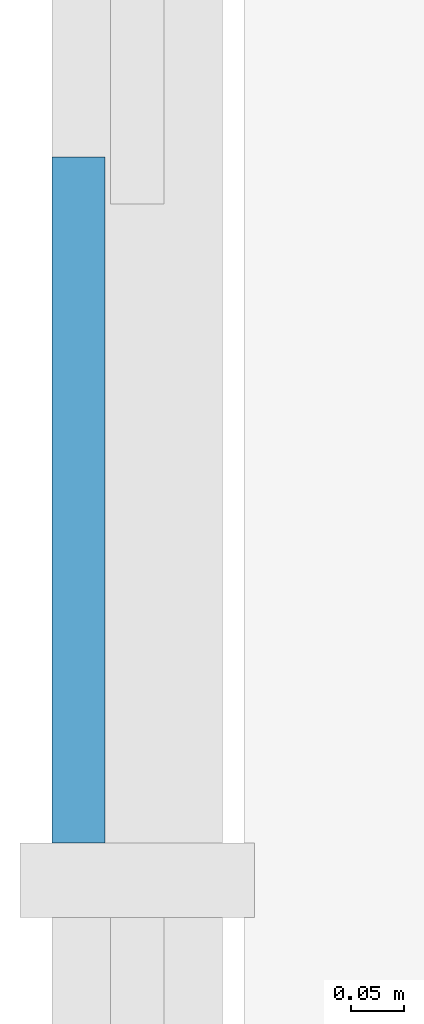
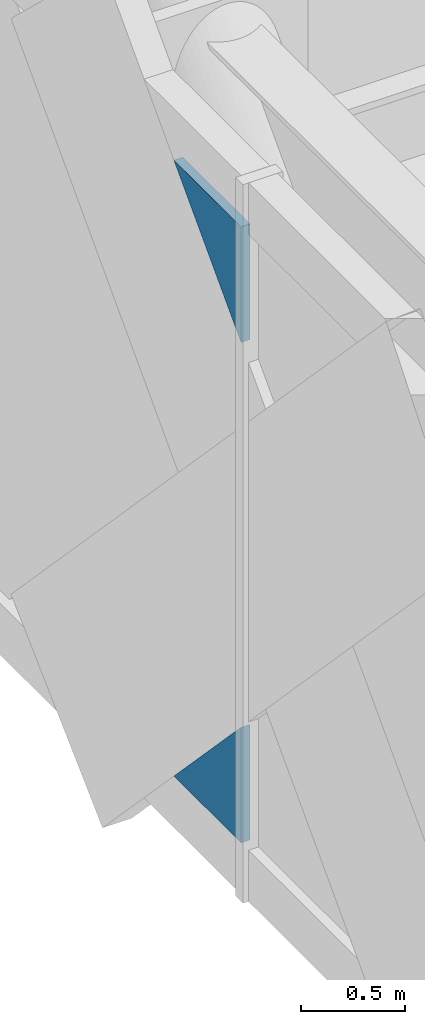
# One storey, part 13 of 19: 2 plates, 1 element without a shape of its own.
"""IFC4 building model written with IfcOpenShell, lengths in metres."""

from ifc_helpers import new_model, si_unit, direction, frame, origin, place, context, subcontext, project, spatial, polyline, outline, extrude, material, layer, layer_set, type_object, element, aggregate, save


model = new_model("IFC4")

# Units and contexts
model_context = context("Model", 3, precision=1e-05, world=origin(), true_north=direction((0.0, 1.0)))
body_context = subcontext(model_context, "Body", "Model", "MODEL_VIEW")
ifc_project = project(units=[si_unit("LENGTHUNIT", "METRE"), si_unit("AREAUNIT", "SQUARE_METRE"), si_unit("VOLUMEUNIT", "CUBIC_METRE"), si_unit("PLANEANGLEUNIT", "RADIAN"), si_unit("MASSUNIT", "GRAM", prefix="KILO")], contexts=[model_context])

# Site, building, storey
site_placement = place(None, origin())
site = spatial("IfcSite", under=ifc_project, at=site_placement, CompositionType="ELEMENT")
building_placement = place(site_placement, origin())
building = spatial("IfcBuilding", under=site, at=building_placement, Name="Rheinbord Bourse Tower", CompositionType="ELEMENT")
storey_placement = place(building_placement, frame((0.0, 0.0, 206.800048828125)))
storey = spatial("IfcBuildingStorey", under=building, at=storey_placement, Name="L46", CompositionType="ELEMENT", Elevation=206.800048828125)

# Curtain wall, plates
ifc_material_1 = material(Name="Dark glass and black aluminium", Category="aluminium")
curtain_wall_type = type_object("IfcCurtainWallType", Name="CW2 DARK GLASS CURTAIN WALL", PredefinedType="USERDEFINED", material=ifc_material_1)
curtain_wall_placement = place(storey_placement, origin())
curtain_wall = element("IfcCurtainWall", 1, at=curtain_wall_placement, inside=storey, type_object=curtain_wall_type, Name="Curtain wall CW2 W L46", ObjectType="UNITISED CURTAIN WALL", PredefinedType="USERDEFINED")
ifc_material_2 = material(Name="Dark tinted triple insulating glass", Category="glass")
ifc_layer = layer(ifc_material_2, 0.050048828125)
ifc_layer_set = layer_set([ifc_layer], Name="CW2 DARK GLASS PANEL")
plate_type = type_object("IfcPlateType", Name="CW2 DARK GLASS PANEL", PredefinedType="CURTAIN_PANEL", material=ifc_layer_set)
plate_1_placement = place(storey_placement, frame((-0.68017578125, 14.235107421875, 0.300048828125), z_axis=(1.0, 0.0, 0.0), x_axis=(0.0, 1.0, 0.0)))
plate_1 = element("IfcPlate", 2, at=plate_1_placement, type_object=plate_type, Name="CW2 glass facet 2", PredefinedType="CURTAIN_PANEL", context=body_context, shape_type="SweptSolid", body=[
    extrude(outline(polyline([(0.0, 0.0), (0.643798828125, 0.0), (0.0, 0.67578125), (0.0, 0.0)])), origin(), (0.0, 0.0, 1.0), 0.050048828125),
])
plate_2_placement = place(storey_placement, frame((-0.68017578125, 14.235107421875, 3.89990234375), z_axis=(1.0, 0.0, 0.0), x_axis=(0.0, 0.0, -1.0)))
plate_2 = element("IfcPlate", 3, at=plate_2_placement, type_object=plate_type, Name="CW2 glass facet 3", PredefinedType="CURTAIN_PANEL", context=body_context, shape_type="SweptSolid", body=[
    extrude(outline(polyline([(0.0, 0.0), (0.676025390625, 0.0), (0.0, 0.643798828125), (0.0, 0.0)])), origin(), (0.0, 0.0, 1.0), 0.050048828125),
])
aggregate(curtain_wall, [plate_1, plate_2])

save(model, "model.ifc")
